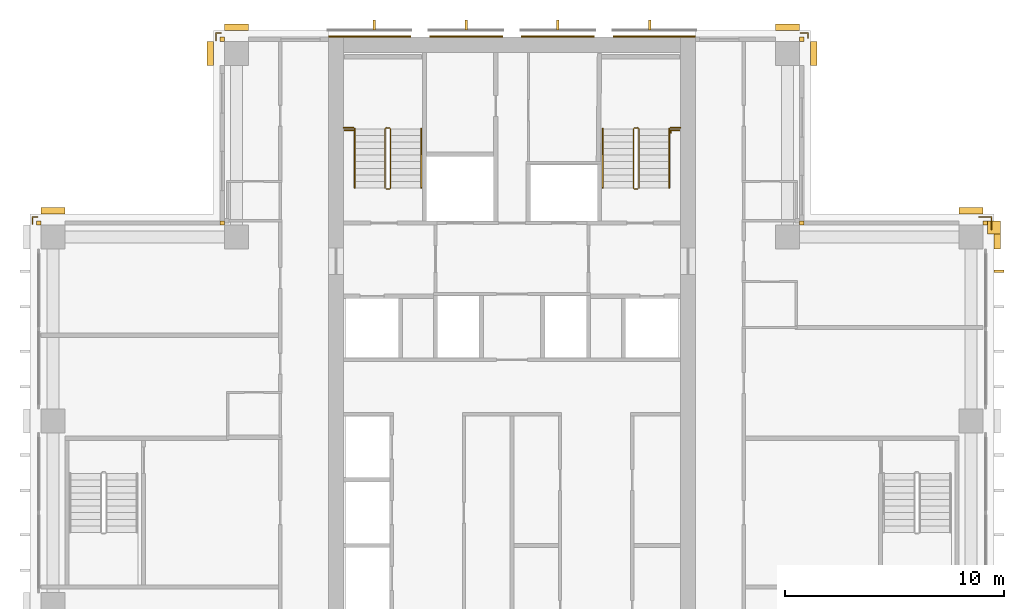
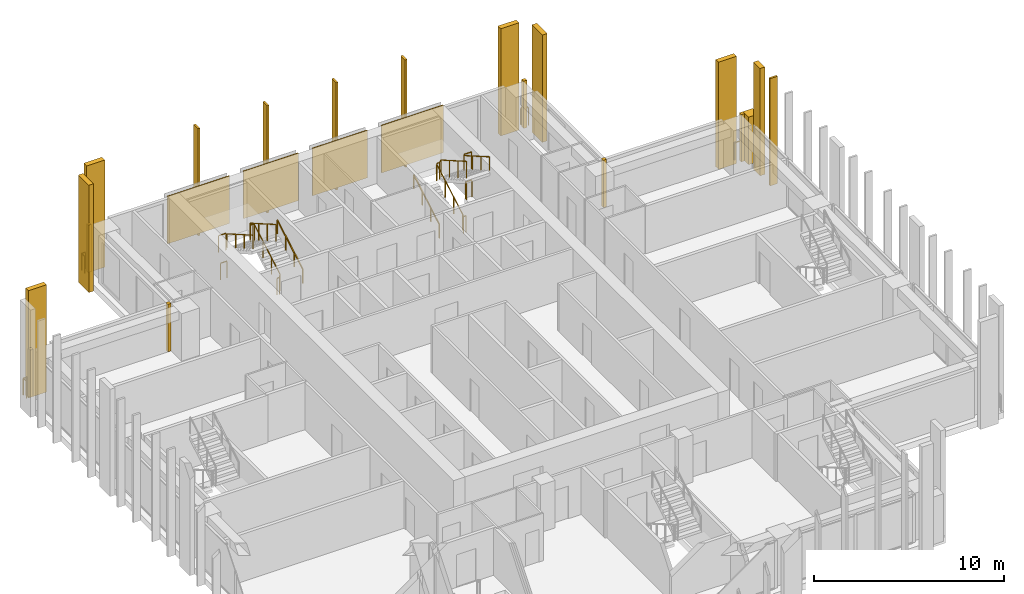
# One storey, part 16 of 16: 23 coverings, 14 railings.
"""IFC4 building model written with IfcOpenShell, lengths in metres."""

from ifc_helpers import new_model, si_unit, direction, frame, origin, origin_2d, place, context, subcontext, project, spatial, polyline, rectangle, outline, extrude, material, layer, layer_set, type_object, element, save


model = new_model("IFC4")

# Units and contexts
model_context = context("Model", 3, precision=1e-05, world=origin(), true_north=direction((0.0, 1.0)))
body_context = subcontext(model_context, "Body", "Model", "MODEL_VIEW")
ifc_project = project(units=[si_unit("LENGTHUNIT", "METRE"), si_unit("AREAUNIT", "SQUARE_METRE"), si_unit("VOLUMEUNIT", "CUBIC_METRE"), si_unit("PLANEANGLEUNIT", "RADIAN"), si_unit("MASSUNIT", "GRAM", prefix="KILO")], contexts=[model_context])

# Site, building, storey
site_placement = place(None, origin())
site = spatial("IfcSite", under=ifc_project, at=site_placement, CompositionType="ELEMENT")
building_placement = place(site_placement, origin())
building = spatial("IfcBuilding", under=site, at=building_placement, Name="Vermilion Ogive Tower", CompositionType="ELEMENT")
storey_placement = place(building_placement, frame((0.0, 0.0, 143.449951171875)))
storey = spatial("IfcBuildingStorey", under=building, at=storey_placement, Name="L36", CompositionType="ELEMENT", Elevation=143.449951171875)

# Coverings
ifc_material_1 = material(Name="Glazed ceramic screen")
ifc_layer = layer(ifc_material_1, 0.14990234375)
ifc_layer_set = layer_set([ifc_layer], Name="Ceramic solar screen fin")
covering_type_1 = type_object("IfcCoveringType", Name="Ceramic solar screen fin", PredefinedType="CLADDING", material=ifc_layer_set)
covering_1_placement = place(storey_placement, frame((0.0, 0.0, -0.39990234375)))
element("IfcCovering", 1, at=covering_1_placement, inside=storey, type_object=covering_type_1, Name="Solar screen blade E022", PredefinedType="CLADDING", context=body_context, shape_type="SweptSolid", body=[
    extrude(outline(polyline([(22.5, 10.9775390625), (22.5, 11.097412109375), (22.050048828125, 11.097412109375), (22.050048828125, 10.9775390625), (22.5, 10.9775390625)])), origin(), (0.0, 0.0, 1.0), 6.89990234375),
])
covering_2_placement = place(storey_placement, frame((0.0, 0.0, -0.39990234375)))
element("IfcCovering", 2, at=covering_2_placement, inside=storey, type_object=covering_type_1, Name="Solar screen blade N1", PredefinedType="CLADDING", context=body_context, shape_type="SweptSolid", body=[
    extrude(outline(polyline([(-6.360107421875, 22.08203125), (-6.239990234375, 22.08203125), (-6.239990234375, 22.531982421875), (-6.360107421875, 22.531982421875), (-6.360107421875, 22.08203125)])), origin(), (0.0, 0.0, 1.0), 6.89990234375),
])
covering_3_placement = place(storey_placement, frame((0.0, 0.0, -0.39990234375)))
element("IfcCovering", 3, at=covering_3_placement, inside=storey, type_object=covering_type_1, Name="Solar screen blade N2", PredefinedType="CLADDING", context=body_context, shape_type="SweptSolid", body=[
    extrude(outline(polyline([(-2.159912109375, 22.08203125), (-2.0400390625, 22.08203125), (-2.0400390625, 22.531982421875), (-2.159912109375, 22.531982421875), (-2.159912109375, 22.08203125)])), origin(), (0.0, 0.0, 1.0), 6.89990234375),
])
covering_4_placement = place(storey_placement, frame((0.0, 0.0, -0.39990234375)))
element("IfcCovering", 4, at=covering_4_placement, inside=storey, type_object=covering_type_1, Name="Solar screen blade N3", PredefinedType="CLADDING", context=body_context, shape_type="SweptSolid", body=[
    extrude(outline(polyline([(2.0400390625, 22.08203125), (2.159912109375, 22.08203125), (2.159912109375, 22.531982421875), (2.0400390625, 22.531982421875), (2.0400390625, 22.08203125)])), origin(), (0.0, 0.0, 1.0), 6.89990234375),
])
covering_5_placement = place(storey_placement, frame((0.0, 0.0, -0.39990234375)))
element("IfcCovering", 5, at=covering_5_placement, inside=storey, type_object=covering_type_1, Name="Solar screen blade N4", PredefinedType="CLADDING", context=body_context, shape_type="SweptSolid", body=[
    extrude(outline(polyline([(6.239990234375, 22.08203125), (6.360107421875, 22.08203125), (6.360107421875, 22.531982421875), (6.239990234375, 22.531982421875), (6.239990234375, 22.08203125)])), origin(), (0.0, 0.0, 1.0), 6.89990234375),
])

# Railings
ifc_material_2 = material(Name="Stainless steel", Category="steel")
railing_type_1 = type_object("IfcRailingType", Name="Slab edge guard SG1", PredefinedType="GUARDRAIL", material=ifc_material_2)
railing_1_placement = place(storey_placement, frame((-21.929931640625, 13.199951171875, 0.0)))
element("IfcRailing", 6, at=railing_1_placement, inside=storey, type_object=railing_type_1, Name="L36 slab corner guard", PredefinedType="GUARDRAIL", context=body_context, shape_type="SweptSolid", body=[
    extrude(rectangle(XDim=0.050048828125, YDim=0.050048828125, at=origin_2d()), frame((0.0, 0.0, 1.0751953125), z_axis=(0.0, 1.0, 0.0), x_axis=(-1.0, 0.0, 0.0)), (0.0, 0.0, 1.0), 0.330078125),
    extrude(rectangle(XDim=0.050048828125, YDim=0.050048828125, at=origin_2d()), frame((0.0, 0.330078125, 1.0751953125), z_axis=(1.0, 0.0, 0.0), x_axis=(0.0, 1.0, 0.0)), (0.0, 0.0, 1.0), 0.22998046875),
    extrude(rectangle(XDim=0.050048828125, YDim=0.050048828125, at=origin_2d()), origin(), (0.0, 0.0, 1.0), 1.050048828125),
    extrude(rectangle(XDim=0.050048828125, YDim=0.050048828125, at=origin_2d()), frame((0.0, 0.330078125, 0.0)), (0.0, 0.0, 1.0), 1.050048828125),
    extrude(rectangle(XDim=0.050048828125, YDim=0.050048828125, at=origin_2d()), frame((0.22998046875, 0.330078125, 0.0)), (0.0, 0.0, 1.0), 1.050048828125),
])
railing_2_placement = place(storey_placement, frame((-13.530029296875, 21.60009765625, 0.0)))
element("IfcRailing", 7, at=railing_2_placement, inside=storey, type_object=railing_type_1, Name="L36 slab corner guard", PredefinedType="GUARDRAIL", context=body_context, shape_type="SweptSolid", body=[
    extrude(rectangle(XDim=0.050048828125, YDim=0.050048828125, at=origin_2d()), frame((0.0, 0.0, 1.0751953125), z_axis=(0.0, 1.0, 0.0), x_axis=(-1.0, 0.0, 0.0)), (0.0, 0.0, 1.0), 0.329833984375),
    extrude(rectangle(XDim=0.050048828125, YDim=0.050048828125, at=origin_2d()), frame((0.0, 0.329833984375, 1.0751953125), z_axis=(1.0, 0.0, 0.0), x_axis=(0.0, 1.0, 0.0)), (0.0, 0.0, 1.0), 0.22998046875),
    extrude(rectangle(XDim=0.050048828125, YDim=0.050048828125, at=origin_2d()), origin(), (0.0, 0.0, 1.0), 1.050048828125),
    extrude(rectangle(XDim=0.050048828125, YDim=0.050048828125, at=origin_2d()), frame((0.0, 0.329833984375, 0.0)), (0.0, 0.0, 1.0), 1.050048828125),
    extrude(rectangle(XDim=0.050048828125, YDim=0.050048828125, at=origin_2d()), frame((0.22998046875, 0.329833984375, 0.0)), (0.0, 0.0, 1.0), 1.050048828125),
])
railing_3_placement = place(storey_placement, frame((13.199951171875, 21.929931640625, 0.0)))
element("IfcRailing", 8, at=railing_3_placement, inside=storey, type_object=railing_type_1, Name="L36 slab corner guard", PredefinedType="GUARDRAIL", context=body_context, shape_type="SweptSolid", body=[
    extrude(rectangle(XDim=0.050048828125, YDim=0.050048828125, at=origin_2d()), frame((0.0, 0.0, 1.0751953125), z_axis=(1.0, 0.0, 0.0), x_axis=(0.0, 1.0, 0.0)), (0.0, 0.0, 1.0), 0.330078125),
    extrude(rectangle(XDim=0.050048828125, YDim=0.050048828125, at=origin_2d()), frame((0.330078125, 0.0, 1.0751953125), z_axis=(0.0, -1.0, 0.0), x_axis=(1.0, 0.0, 0.0)), (0.0, 0.0, 1.0), 0.22998046875),
    extrude(rectangle(XDim=0.050048828125, YDim=0.050048828125, at=origin_2d()), origin(), (0.0, 0.0, 1.0), 1.050048828125),
    extrude(rectangle(XDim=0.050048828125, YDim=0.050048828125, at=origin_2d()), frame((0.330078125, 0.0, 0.0)), (0.0, 0.0, 1.0), 1.050048828125),
    extrude(rectangle(XDim=0.050048828125, YDim=0.050048828125, at=origin_2d()), frame((0.330078125, -0.22998046875, 0.0)), (0.0, 0.0, 1.0), 1.050048828125),
])
railing_4_placement = place(storey_placement, frame((21.929931640625, 12.949951171875, 0.0)))
element("IfcRailing", 9, at=railing_4_placement, inside=storey, type_object=railing_type_1, Name="L36 slab corner guard", PredefinedType="GUARDRAIL", context=body_context, shape_type="SweptSolid", body=[
    extrude(rectangle(XDim=0.050048828125, YDim=0.050048828125, at=origin_2d()), frame((0.0, 0.0, 1.0751953125), z_axis=(0.0, 1.0, 0.0), x_axis=(-1.0, 0.0, 0.0)), (0.0, 0.0, 1.0), 0.580078125),
    extrude(rectangle(XDim=0.050048828125, YDim=0.050048828125, at=origin_2d()), frame((0.0, 0.580078125, 1.0751953125), z_axis=(-1.0, 0.0, 0.0), x_axis=(0.0, -1.0, 0.0)), (0.0, 0.0, 1.0), 0.579833984375),
    extrude(rectangle(XDim=0.050048828125, YDim=0.050048828125, at=origin_2d()), origin(), (0.0, 0.0, 1.0), 1.050048828125),
    extrude(rectangle(XDim=0.050048828125, YDim=0.050048828125, at=origin_2d()), frame((0.0, 0.580078125, 0.0)), (0.0, 0.0, 1.0), 1.050048828125),
    extrude(rectangle(XDim=0.050048828125, YDim=0.050048828125, at=origin_2d()), frame((-0.579833984375, 0.580078125, 0.0)), (0.0, 0.0, 1.0), 1.050048828125),
])
ifc_material_3 = material(Name="Steel S355 painted", Category="steel")
railing_type_2 = type_object("IfcRailingType", Name="Stair guard 1100", PredefinedType="GUARDRAIL", material=ifc_material_3)
railing_5_placement = place(storey_placement, frame((-5.75, 14.800048828125, 0.0)))
element("IfcRailing", 10, at=railing_5_placement, inside=storey, type_object=railing_type_2, Name="L36 ST1 stair guard 4", PredefinedType="GUARDRAIL", context=body_context, shape_type="SweptSolid", body=[
    extrude(rectangle(XDim=0.048095703125, YDim=0.048095703125, at=origin_2d()), frame((0.0, 0.0, 1.076171875), z_axis=(1.0, 0.0, 0.0), x_axis=(0.0, 1.0, 0.0)), (0.0, 0.0, 1.0), 0.14990234375),
    extrude(rectangle(XDim=0.048095703125, YDim=0.048095703125, at=origin_2d()), frame((0.14990234375, 0.0, 1.076171875), z_axis=(0.268277960024, 0.268277960024, 0.925231793839), x_axis=(-0.707106781187, 0.707106781187, 0.0)), (0.0, 0.0, 1.0), 0.1865234375),
    extrude(rectangle(XDim=0.048095703125, YDim=0.048095703125, at=origin_2d()), frame((0.199951171875, 0.050048828125, 1.24853515625), z_axis=(0.0, 0.866903762492, 0.498475542607), x_axis=(-1.0, 0.0, 0.0)), (0.0, 0.0, 1.0), 3.114501953125),
    extrude(rectangle(XDim=0.048095703125, YDim=0.048095703125, at=origin_2d()), frame((0.199951171875, 2.75, 2.80126953125), z_axis=(-0.707106781187, 0.707106781187, 0.0), x_axis=(-0.707106781187, -0.707106781187, 0.0)), (0.0, 0.0, 1.0), 0.07080078125),
    extrude(rectangle(XDim=0.048095703125, YDim=0.048095703125, at=origin_2d()), frame((0.14990234375, 2.800048828125, 2.80126953125), z_axis=(-1.0, 0.0, 0.0), x_axis=(0.0, -1.0, 0.0)), (0.0, 0.0, 1.0), 0.14990234375),
    extrude(rectangle(XDim=0.048095703125, YDim=0.048095703125, at=origin_2d()), frame((0.0, 2.800048828125, 2.80126953125), z_axis=(-0.268603158521, -0.268603158521, 0.925043072762), x_axis=(0.707106781187, -0.707106781187, 0.0)), (0.0, 0.0, 1.0), 0.186279296875),
    extrude(rectangle(XDim=0.048095703125, YDim=0.048095703125, at=origin_2d()), frame((-0.050048828125, 2.75, 2.9736328125), z_axis=(0.0, -0.866903762492, 0.498475542607), x_axis=(1.0, 0.0, 0.0)), (0.0, 0.0, 1.0), 3.114501953125),
    extrude(rectangle(XDim=0.0419921875, YDim=0.0419921875, at=origin_2d()), origin(), (0.0, 0.0, 1.0), 1.052001953125),
    extrude(rectangle(XDim=0.0419921875, YDim=0.0419921875, at=origin_2d()), frame((0.14990234375, 0.0, 0.0)), (0.0, 0.0, 1.0), 1.052001953125),
    extrude(rectangle(XDim=0.0419921875, YDim=0.0419921875, at=origin_2d()), frame((0.199951171875, 0.050048828125, 0.172607421875)), (0.0, 0.0, 1.0), 1.052001953125),
    extrude(rectangle(XDim=0.0419921875, YDim=0.0419921875, at=origin_2d()), frame((0.199951171875, 0.949951171875, 0.690185546875)), (0.0, 0.0, 1.0), 1.052001953125),
    extrude(rectangle(XDim=0.0419921875, YDim=0.0419921875, at=origin_2d()), frame((0.199951171875, 1.85009765625, 1.20751953125)), (0.0, 0.0, 1.0), 1.052001953125),
    extrude(rectangle(XDim=0.0419921875, YDim=0.0419921875, at=origin_2d()), frame((0.199951171875, 2.75, 1.72509765625)), (0.0, 0.0, 1.0), 1.052001953125),
    extrude(rectangle(XDim=0.0419921875, YDim=0.0419921875, at=origin_2d()), frame((0.14990234375, 2.800048828125, 1.72509765625)), (0.0, 0.0, 1.0), 1.052001953125),
    extrude(rectangle(XDim=0.0419921875, YDim=0.0419921875, at=origin_2d()), frame((0.0, 2.800048828125, 1.72509765625)), (0.0, 0.0, 1.0), 1.052001953125),
    extrude(rectangle(XDim=0.0419921875, YDim=0.0419921875, at=origin_2d()), frame((-0.050048828125, 2.75, 1.8974609375)), (0.0, 0.0, 1.0), 1.052001953125),
    extrude(rectangle(XDim=0.0419921875, YDim=0.0419921875, at=origin_2d()), frame((-0.050048828125, 1.85009765625, 2.4150390625)), (0.0, 0.0, 1.0), 1.052001953125),
    extrude(rectangle(XDim=0.0419921875, YDim=0.0419921875, at=origin_2d()), frame((-0.050048828125, 0.949951171875, 2.932373046875)), (0.0, 0.0, 1.0), 1.052001953125),
    extrude(rectangle(XDim=0.0419921875, YDim=0.0419921875, at=origin_2d()), frame((-0.050048828125, 0.050048828125, 3.449951171875)), (0.0, 0.0, 1.0), 1.052001953125),
])
railing_6_placement = place(storey_placement, frame((5.75, 14.800048828125, 0.0)))
element("IfcRailing", 11, at=railing_6_placement, inside=storey, type_object=railing_type_2, Name="L36 ST2 stair guard 4", PredefinedType="GUARDRAIL", context=body_context, shape_type="SweptSolid", body=[
    extrude(rectangle(XDim=0.048095703125, YDim=0.048095703125, at=origin_2d()), frame((0.0, 0.0, 1.076171875), z_axis=(-1.0, 0.0, 0.0), x_axis=(0.0, -1.0, 0.0)), (0.0, 0.0, 1.0), 0.14990234375),
    extrude(rectangle(XDim=0.048095703125, YDim=0.048095703125, at=origin_2d()), frame((-0.14990234375, 0.0, 1.076171875), z_axis=(-0.268277960024, 0.268277960024, 0.925231793839), x_axis=(-0.707106781187, -0.707106781187, 0.0)), (0.0, 0.0, 1.0), 0.1865234375),
    extrude(rectangle(XDim=0.048095703125, YDim=0.048095703125, at=origin_2d()), frame((-0.199951171875, 0.050048828125, 1.24853515625), z_axis=(0.0, 0.866903762492, 0.498475542607), x_axis=(-1.0, 0.0, 0.0)), (0.0, 0.0, 1.0), 3.114501953125),
    extrude(rectangle(XDim=0.048095703125, YDim=0.048095703125, at=origin_2d()), frame((-0.199951171875, 2.75, 2.80126953125), z_axis=(0.707106781187, 0.707106781187, 0.0), x_axis=(-0.707106781187, 0.707106781187, 0.0)), (0.0, 0.0, 1.0), 0.07080078125),
    extrude(rectangle(XDim=0.048095703125, YDim=0.048095703125, at=origin_2d()), frame((-0.14990234375, 2.800048828125, 2.80126953125), z_axis=(1.0, 0.0, 0.0), x_axis=(0.0, 1.0, 0.0)), (0.0, 0.0, 1.0), 0.14990234375),
    extrude(rectangle(XDim=0.048095703125, YDim=0.048095703125, at=origin_2d()), frame((0.0, 2.800048828125, 2.80126953125), z_axis=(0.268603158521, -0.268603158521, 0.925043072762), x_axis=(0.707106781187, 0.707106781187, 0.0)), (0.0, 0.0, 1.0), 0.186279296875),
    extrude(rectangle(XDim=0.048095703125, YDim=0.048095703125, at=origin_2d()), frame((0.050048828125, 2.75, 2.9736328125), z_axis=(0.0, -0.866903762492, 0.498475542607), x_axis=(1.0, 0.0, 0.0)), (0.0, 0.0, 1.0), 3.114501953125),
    extrude(rectangle(XDim=0.0419921875, YDim=0.0419921875, at=origin_2d()), origin(), (0.0, 0.0, 1.0), 1.052001953125),
    extrude(rectangle(XDim=0.0419921875, YDim=0.0419921875, at=origin_2d()), frame((-0.14990234375, 0.0, 0.0)), (0.0, 0.0, 1.0), 1.052001953125),
    extrude(rectangle(XDim=0.0419921875, YDim=0.0419921875, at=origin_2d()), frame((-0.199951171875, 0.050048828125, 0.172607421875)), (0.0, 0.0, 1.0), 1.052001953125),
    extrude(rectangle(XDim=0.0419921875, YDim=0.0419921875, at=origin_2d()), frame((-0.199951171875, 0.949951171875, 0.690185546875)), (0.0, 0.0, 1.0), 1.052001953125),
    extrude(rectangle(XDim=0.0419921875, YDim=0.0419921875, at=origin_2d()), frame((-0.199951171875, 1.85009765625, 1.20751953125)), (0.0, 0.0, 1.0), 1.052001953125),
    extrude(rectangle(XDim=0.0419921875, YDim=0.0419921875, at=origin_2d()), frame((-0.199951171875, 2.75, 1.72509765625)), (0.0, 0.0, 1.0), 1.052001953125),
    extrude(rectangle(XDim=0.0419921875, YDim=0.0419921875, at=origin_2d()), frame((-0.14990234375, 2.800048828125, 1.72509765625)), (0.0, 0.0, 1.0), 1.052001953125),
    extrude(rectangle(XDim=0.0419921875, YDim=0.0419921875, at=origin_2d()), frame((0.0, 2.800048828125, 1.72509765625)), (0.0, 0.0, 1.0), 1.052001953125),
    extrude(rectangle(XDim=0.0419921875, YDim=0.0419921875, at=origin_2d()), frame((0.050048828125, 2.75, 1.8974609375)), (0.0, 0.0, 1.0), 1.052001953125),
    extrude(rectangle(XDim=0.0419921875, YDim=0.0419921875, at=origin_2d()), frame((0.050048828125, 1.85009765625, 2.4150390625)), (0.0, 0.0, 1.0), 1.052001953125),
    extrude(rectangle(XDim=0.0419921875, YDim=0.0419921875, at=origin_2d()), frame((0.050048828125, 0.949951171875, 2.932373046875)), (0.0, 0.0, 1.0), 1.052001953125),
    extrude(rectangle(XDim=0.0419921875, YDim=0.0419921875, at=origin_2d()), frame((0.050048828125, 0.050048828125, 3.449951171875)), (0.0, 0.0, 1.0), 1.052001953125),
])
for number, where, name in (
    (12, (-7.699951171875, 17.60009765625, 1.72509765625), "L36 landing guard"),
    (13, (7.25, 17.60009765625, 1.72509765625), "L36 landing guard"),
):
    element("IfcRailing", number, at=place(storey_placement, frame(where)), inside=storey, type_object=railing_type_2, Name=name, PredefinedType="GUARDRAIL", context=body_context, shape_type="SweptSolid", body=[
        extrude(rectangle(XDim=0.048095703125, YDim=0.048095703125, at=origin_2d()), frame((0.0, 0.0, 1.076171875), z_axis=(1.0, 0.0, 0.0), x_axis=(0.0, 1.0, 0.0)), (0.0, 0.0, 1.0), 0.449951171875),
        extrude(rectangle(XDim=0.0419921875, YDim=0.0419921875, at=origin_2d()), origin(), (0.0, 0.0, 1.0), 1.052001953125),
        extrude(rectangle(XDim=0.0419921875, YDim=0.0419921875, at=origin_2d()), frame((0.449951171875, 0.0, 0.0)), (0.0, 0.0, 1.0), 1.052001953125),
    ])
railing_7_placement = place(storey_placement, frame((-7.639892578125, 17.489990234375, 0.0)))
element("IfcRailing", 14, at=railing_7_placement, inside=storey, type_object=railing_type_2, Name="L36 stair opening guard", PredefinedType="GUARDRAIL", context=body_context, shape_type="SweptSolid", body=[
    extrude(rectangle(XDim=0.048095703125, YDim=0.048095703125, at=origin_2d()), frame((0.0, 0.0, 1.076171875), z_axis=(1.0, 0.0, 0.0), x_axis=(0.0, 1.0, 0.0)), (0.0, 0.0, 1.0), 0.389892578125),
    extrude(rectangle(XDim=0.0419921875, YDim=0.0419921875, at=origin_2d()), origin(), (0.0, 0.0, 1.0), 1.052001953125),
    extrude(rectangle(XDim=0.0419921875, YDim=0.0419921875, at=origin_2d()), frame((0.389892578125, 0.0, 0.0)), (0.0, 0.0, 1.0), 1.052001953125),
])
railing_8_placement = place(storey_placement, frame((7.267578125, 17.372802734375, 0.0)))
element("IfcRailing", 15, at=railing_8_placement, inside=storey, type_object=railing_type_2, Name="L36 stair opening guard", PredefinedType="GUARDRAIL", context=body_context, shape_type="SweptSolid", body=[
    extrude(rectangle(XDim=0.048095703125, YDim=0.048095703125, at=origin_2d()), frame((0.0, 0.0, 1.076171875), z_axis=(0.0, 1.0, 0.0), x_axis=(-1.0, 0.0, 0.0)), (0.0, 0.0, 1.0), 0.119873046875),
    extrude(rectangle(XDim=0.048095703125, YDim=0.048095703125, at=origin_2d()), frame((0.0, 0.119873046875, 1.076171875), z_axis=(1.0, 0.0, 0.0), x_axis=(0.0, 1.0, 0.0)), (0.0, 0.0, 1.0), 0.39013671875),
    extrude(rectangle(XDim=0.0419921875, YDim=0.0419921875, at=origin_2d()), origin(), (0.0, 0.0, 1.0), 1.052001953125),
    extrude(rectangle(XDim=0.0419921875, YDim=0.0419921875, at=origin_2d()), frame((0.0, 0.119873046875, 0.0)), (0.0, 0.0, 1.0), 1.052001953125),
    extrude(rectangle(XDim=0.0419921875, YDim=0.0419921875, at=origin_2d()), frame((0.39013671875, 0.119873046875, 0.0)), (0.0, 0.0, 1.0), 1.052001953125),
])
ifc_material_4 = material(Name="Stainless steel", Category="steel")
railing_type_3 = type_object("IfcRailingType", Name="Stair handrail 900", PredefinedType="HANDRAIL", material=ifc_material_4)
railing_9_placement = place(storey_placement, frame((-4.14990234375, 14.85009765625, 0.172607421875)))
element("IfcRailing", 16, at=railing_9_placement, inside=storey, type_object=railing_type_3, Name="L36 ST1 stair handrail 1", PredefinedType="HANDRAIL", context=body_context, shape_type="SweptSolid", body=[
    extrude(rectangle(XDim=0.048095703125, YDim=0.048095703125, at=origin_2d()), frame((0.0, 0.0, 0.8759765625), z_axis=(0.0, 0.866903762492, 0.498475542607), x_axis=(-1.0, 0.0, 0.0)), (0.0, 0.0, 1.0), 3.114501953125),
    extrude(rectangle(XDim=0.0419921875, YDim=0.0419921875, at=origin_2d()), origin(), (0.0, 0.0, 1.0), 0.851806640625),
    extrude(rectangle(XDim=0.0419921875, YDim=0.0419921875, at=origin_2d()), frame((0.0, 0.89990234375, 0.517578125)), (0.0, 0.0, 1.0), 0.851806640625),
    extrude(rectangle(XDim=0.0419921875, YDim=0.0419921875, at=origin_2d()), frame((0.0, 1.800048828125, 1.034912109375)), (0.0, 0.0, 1.0), 0.851806640625),
    extrude(rectangle(XDim=0.0419921875, YDim=0.0419921875, at=origin_2d()), frame((0.0, 2.699951171875, 1.552490234375)), (0.0, 0.0, 1.0), 0.851806640625),
])
railing_10_placement = place(storey_placement, frame((-7.199951171875, 17.550048828125, 1.8974609375)))
element("IfcRailing", 17, at=railing_10_placement, inside=storey, type_object=railing_type_3, Name="L36 ST1 stair handrail 2", PredefinedType="HANDRAIL", context=body_context, shape_type="SweptSolid", body=[
    extrude(rectangle(XDim=0.048095703125, YDim=0.048095703125, at=origin_2d()), frame((0.0, 0.0, 0.8759765625), z_axis=(0.0, -0.866903762492, 0.498475542607), x_axis=(1.0, 0.0, 0.0)), (0.0, 0.0, 1.0), 3.114501953125),
    extrude(rectangle(XDim=0.0419921875, YDim=0.0419921875, at=origin_2d()), origin(), (0.0, 0.0, 1.0), 0.851806640625),
    extrude(rectangle(XDim=0.0419921875, YDim=0.0419921875, at=origin_2d()), frame((0.0, -0.89990234375, 0.517578125)), (0.0, 0.0, 1.0), 0.851806640625),
    extrude(rectangle(XDim=0.0419921875, YDim=0.0419921875, at=origin_2d()), frame((0.0, -1.800048828125, 1.034912109375)), (0.0, 0.0, 1.0), 0.851806640625),
    extrude(rectangle(XDim=0.0419921875, YDim=0.0419921875, at=origin_2d()), frame((0.0, -2.699951171875, 1.552490234375)), (0.0, 0.0, 1.0), 0.851806640625),
])
railing_11_placement = place(storey_placement, frame((4.14990234375, 14.85009765625, 0.172607421875)))
element("IfcRailing", 18, at=railing_11_placement, inside=storey, type_object=railing_type_3, Name="L36 ST2 stair handrail 1", PredefinedType="HANDRAIL", context=body_context, shape_type="SweptSolid", body=[
    extrude(rectangle(XDim=0.048095703125, YDim=0.048095703125, at=origin_2d()), frame((0.0, 0.0, 0.8759765625), z_axis=(0.0, 0.866903762492, 0.498475542607), x_axis=(-1.0, 0.0, 0.0)), (0.0, 0.0, 1.0), 3.114501953125),
    extrude(rectangle(XDim=0.0419921875, YDim=0.0419921875, at=origin_2d()), origin(), (0.0, 0.0, 1.0), 0.851806640625),
    extrude(rectangle(XDim=0.0419921875, YDim=0.0419921875, at=origin_2d()), frame((0.0, 0.89990234375, 0.517578125)), (0.0, 0.0, 1.0), 0.851806640625),
    extrude(rectangle(XDim=0.0419921875, YDim=0.0419921875, at=origin_2d()), frame((0.0, 1.800048828125, 1.034912109375)), (0.0, 0.0, 1.0), 0.851806640625),
    extrude(rectangle(XDim=0.0419921875, YDim=0.0419921875, at=origin_2d()), frame((0.0, 2.699951171875, 1.552490234375)), (0.0, 0.0, 1.0), 0.851806640625),
])
railing_12_placement = place(storey_placement, frame((7.199951171875, 17.550048828125, 1.8974609375)))
element("IfcRailing", 19, at=railing_12_placement, inside=storey, type_object=railing_type_3, Name="L36 ST2 stair handrail 2", PredefinedType="HANDRAIL", context=body_context, shape_type="SweptSolid", body=[
    extrude(rectangle(XDim=0.048095703125, YDim=0.048095703125, at=origin_2d()), frame((0.0, 0.0, 0.8759765625), z_axis=(0.0, -0.866903762492, 0.498475542607), x_axis=(1.0, 0.0, 0.0)), (0.0, 0.0, 1.0), 3.114501953125),
    extrude(rectangle(XDim=0.0419921875, YDim=0.0419921875, at=origin_2d()), origin(), (0.0, 0.0, 1.0), 0.851806640625),
    extrude(rectangle(XDim=0.0419921875, YDim=0.0419921875, at=origin_2d()), frame((0.0, -0.89990234375, 0.517578125)), (0.0, 0.0, 1.0), 0.851806640625),
    extrude(rectangle(XDim=0.0419921875, YDim=0.0419921875, at=origin_2d()), frame((0.0, -1.800048828125, 1.034912109375)), (0.0, 0.0, 1.0), 0.851806640625),
    extrude(rectangle(XDim=0.0419921875, YDim=0.0419921875, at=origin_2d()), frame((0.0, -2.699951171875, 1.552490234375)), (0.0, 0.0, 1.0), 0.851806640625),
])

# Coverings
ifc_material_5 = material(Name="Stone cladding", Category="masonry")
covering_type_2 = type_object("IfcCoveringType", Name="Stone cladding panel", PredefinedType="CLADDING", material=ifc_material_5)
covering_6_placement = place(storey_placement, origin())
element("IfcCovering", 20, at=covering_6_placement, inside=storey, type_object=covering_type_2, Name="Stone cladding panel N1", PredefinedType="CLADDING", context=body_context, shape_type="SweptSolid", body=[
    extrude(outline(polyline([(-8.389892578125, 21.75), (-4.6298828125, 21.75), (-4.6298828125, 21.81005859375), (-8.389892578125, 21.81005859375), (-8.389892578125, 21.75)])), origin(), (0.0, 0.0, 1.0), 3.050048828125),
])
covering_7_placement = place(storey_placement, origin())
element("IfcCovering", 21, at=covering_7_placement, inside=storey, type_object=covering_type_2, Name="Stone cladding panel N2", PredefinedType="CLADDING", context=body_context, shape_type="SweptSolid", body=[
    extrude(outline(polyline([(-3.77001953125, 21.75), (-0.429931640625, 21.75), (-0.429931640625, 21.81005859375), (-3.77001953125, 21.81005859375), (-3.77001953125, 21.75)])), origin(), (0.0, 0.0, 1.0), 3.050048828125),
])
covering_8_placement = place(storey_placement, origin())
element("IfcCovering", 22, at=covering_8_placement, inside=storey, type_object=covering_type_2, Name="Stone cladding panel N3", PredefinedType="CLADDING", context=body_context, shape_type="SweptSolid", body=[
    extrude(outline(polyline([(0.429931640625, 21.75), (3.77001953125, 21.75), (3.77001953125, 21.81005859375), (0.429931640625, 21.81005859375), (0.429931640625, 21.75)])), origin(), (0.0, 0.0, 1.0), 3.050048828125),
])
covering_9_placement = place(storey_placement, origin())
element("IfcCovering", 23, at=covering_9_placement, inside=storey, type_object=covering_type_2, Name="Stone cladding panel N4", PredefinedType="CLADDING", context=body_context, shape_type="SweptSolid", body=[
    extrude(outline(polyline([(4.6298828125, 21.75), (8.389892578125, 21.75), (8.389892578125, 21.81005859375), (4.6298828125, 21.81005859375), (4.6298828125, 21.75)])), origin(), (0.0, 0.0, 1.0), 3.050048828125),
])
ifc_material_6 = material(Name="Stone cladding", Category="masonry")
covering_type_3 = type_object("IfcCoveringType", Name="Stone corner buttress", PredefinedType="CLADDING", material=ifc_material_6)
covering_10_placement = place(storey_placement, origin())
element("IfcCovering", 24, at=covering_10_placement, inside=storey, type_object=covering_type_3, Name="Stone crease pier EK", PredefinedType="CLADDING", context=body_context, shape_type="SweptSolid", body=[
    extrude(outline(polyline([(22.35009765625, 12.75), (22.35009765625, 13.35009765625), (21.75, 13.35009765625), (21.75, 12.75), (22.35009765625, 12.75)])), origin(), (0.0, 0.0, 1.0), 3.050048828125),
])
ifc_material_7 = material(Name="Stone cladding", Category="masonry")
covering_type_4 = type_object("IfcCoveringType", Name="Stone pier", PredefinedType="CLADDING", material=ifc_material_7)
covering_11_placement = place(storey_placement, origin())
element("IfcCovering", 25, at=covering_11_placement, inside=storey, type_object=covering_type_4, Name="Stone corner pier EE1", PredefinedType="CLADDING", context=body_context, shape_type="SweptSolid", body=[
    extrude(outline(polyline([(21.75, 13.14990234375), (21.550048828125, 13.14990234375), (21.550048828125, 13.35009765625), (21.75, 13.35009765625), (21.75, 13.14990234375)])), origin(), (0.0, 0.0, 1.0), 3.050048828125),
])
covering_12_placement = place(storey_placement, origin())
element("IfcCovering", 26, at=covering_12_placement, inside=storey, type_object=covering_type_4, Name="Stone corner pier X3E1", PredefinedType="CLADDING", context=body_context, shape_type="SweptSolid", body=[
    extrude(outline(polyline([(13.14990234375, 13.14990234375), (13.14990234375, 13.35009765625), (13.35009765625, 13.35009765625), (13.35009765625, 13.14990234375), (13.14990234375, 13.14990234375)])), origin(), (0.0, 0.0, 1.0), 3.050048828125),
])
covering_13_placement = place(storey_placement, origin())
element("IfcCovering", 27, at=covering_13_placement, inside=storey, type_object=covering_type_4, Name="Stone corner pier X4E1", PredefinedType="CLADDING", context=body_context, shape_type="SweptSolid", body=[
    extrude(outline(polyline([(13.35009765625, 21.550048828125), (13.14990234375, 21.550048828125), (13.14990234375, 21.75), (13.35009765625, 21.75), (13.35009765625, 21.550048828125)])), origin(), (0.0, 0.0, 1.0), 3.050048828125),
])
covering_14_placement = place(storey_placement, origin())
element("IfcCovering", 28, at=covering_14_placement, inside=storey, type_object=covering_type_4, Name="Stone corner pier N2E1", PredefinedType="CLADDING", context=body_context, shape_type="SweptSolid", body=[
    extrude(outline(polyline([(-13.14990234375, 21.75), (-13.14990234375, 21.550048828125), (-13.35009765625, 21.550048828125), (-13.35009765625, 21.75), (-13.14990234375, 21.75)])), origin(), (0.0, 0.0, 1.0), 3.050048828125),
])
covering_15_placement = place(storey_placement, origin())
element("IfcCovering", 29, at=covering_15_placement, inside=storey, type_object=covering_type_4, Name="Stone corner pier X5E1", PredefinedType="CLADDING", context=body_context, shape_type="SweptSolid", body=[
    extrude(outline(polyline([(-13.14990234375, 13.14990234375), (-13.35009765625, 13.14990234375), (-13.35009765625, 13.35009765625), (-13.14990234375, 13.35009765625), (-13.14990234375, 13.14990234375)])), origin(), (0.0, 0.0, 1.0), 3.050048828125),
])
covering_16_placement = place(storey_placement, origin())
element("IfcCovering", 30, at=covering_16_placement, inside=storey, type_object=covering_type_4, Name="Stone corner pier X6E1", PredefinedType="CLADDING", context=body_context, shape_type="SweptSolid", body=[
    extrude(outline(polyline([(-21.550048828125, 13.35009765625), (-21.550048828125, 13.14990234375), (-21.75, 13.14990234375), (-21.75, 13.35009765625), (-21.550048828125, 13.35009765625)])), origin(), (0.0, 0.0, 1.0), 3.050048828125),
])
covering_17_placement = place(storey_placement, frame((0.0, 0.0, -0.39990234375)))
element("IfcCovering", 31, at=covering_17_placement, inside=storey, type_object=covering_type_4, Name="Stone pier P+0126+210X4", PredefinedType="CLADDING", context=body_context, shape_type="SweptSolid", body=[
    extrude(outline(polyline([(13.949951171875, 21.550048828125), (13.949951171875, 20.449951171875), (13.64990234375, 20.449951171875), (13.64990234375, 21.550048828125), (13.949951171875, 21.550048828125)])), origin(), (0.0, 0.0, 1.0), 6.89990234375),
])
covering_18_placement = place(storey_placement, frame((0.0, 0.0, -0.39990234375)))
element("IfcCovering", 32, at=covering_18_placement, inside=storey, type_object=covering_type_4, Name="Stone pier P+0126+210N1", PredefinedType="CLADDING", context=body_context, shape_type="SweptSolid", body=[
    extrude(outline(polyline([(13.14990234375, 22.35009765625), (13.14990234375, 22.050048828125), (12.050048828125, 22.050048828125), (12.050048828125, 22.35009765625), (13.14990234375, 22.35009765625)])), origin(), (0.0, 0.0, 1.0), 6.89990234375),
])
covering_19_placement = place(storey_placement, frame((0.0, 0.0, -0.39990234375)))
element("IfcCovering", 33, at=covering_19_placement, inside=storey, type_object=covering_type_4, Name="Stone pier P+0210+126E", PredefinedType="CLADDING", context=body_context, shape_type="SweptSolid", body=[
    extrude(outline(polyline([(22.35009765625, 12.050048828125), (22.050048828125, 12.050048828125), (22.050048828125, 12.75), (22.35009765625, 12.75), (22.35009765625, 12.050048828125)])), origin(), (0.0, 0.0, 1.0), 6.89990234375),
])
covering_20_placement = place(storey_placement, frame((0.0, 0.0, -0.39990234375)))
element("IfcCovering", 34, at=covering_20_placement, inside=storey, type_object=covering_type_4, Name="Stone pier P+0210+126X3", PredefinedType="CLADDING", context=body_context, shape_type="SweptSolid", body=[
    extrude(outline(polyline([(21.550048828125, 13.949951171875), (21.550048828125, 13.64990234375), (20.449951171875, 13.64990234375), (20.449951171875, 13.949951171875), (21.550048828125, 13.949951171875)])), origin(), (0.0, 0.0, 1.0), 6.89990234375),
])
covering_21_placement = place(storey_placement, frame((0.0, 0.0, -0.39990234375)))
element("IfcCovering", 35, at=covering_21_placement, inside=storey, type_object=covering_type_4, Name="Stone pier P-0126+210N2", PredefinedType="CLADDING", context=body_context, shape_type="SweptSolid", body=[
    extrude(outline(polyline([(-13.14990234375, 22.35009765625), (-12.050048828125, 22.35009765625), (-12.050048828125, 22.050048828125), (-13.14990234375, 22.050048828125), (-13.14990234375, 22.35009765625)])), origin(), (0.0, 0.0, 1.0), 6.89990234375),
])
covering_22_placement = place(storey_placement, frame((0.0, 0.0, -0.39990234375)))
element("IfcCovering", 36, at=covering_22_placement, inside=storey, type_object=covering_type_4, Name="Stone pier P-0126+210X5", PredefinedType="CLADDING", context=body_context, shape_type="SweptSolid", body=[
    extrude(outline(polyline([(-13.949951171875, 21.550048828125), (-13.64990234375, 21.550048828125), (-13.64990234375, 20.449951171875), (-13.949951171875, 20.449951171875), (-13.949951171875, 21.550048828125)])), origin(), (0.0, 0.0, 1.0), 6.89990234375),
])
covering_23_placement = place(storey_placement, frame((0.0, 0.0, -0.39990234375)))
element("IfcCovering", 37, at=covering_23_placement, inside=storey, type_object=covering_type_4, Name="Stone pier P-0210+126X6", PredefinedType="CLADDING", context=body_context, shape_type="SweptSolid", body=[
    extrude(outline(polyline([(-21.550048828125, 13.949951171875), (-20.449951171875, 13.949951171875), (-20.449951171875, 13.64990234375), (-21.550048828125, 13.64990234375), (-21.550048828125, 13.949951171875)])), origin(), (0.0, 0.0, 1.0), 6.89990234375),
])

save(model, "model.ifc")
